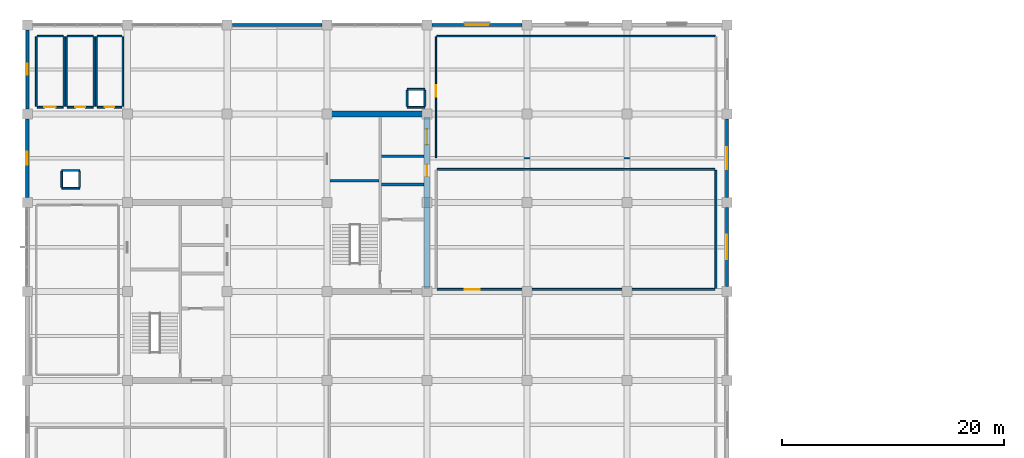
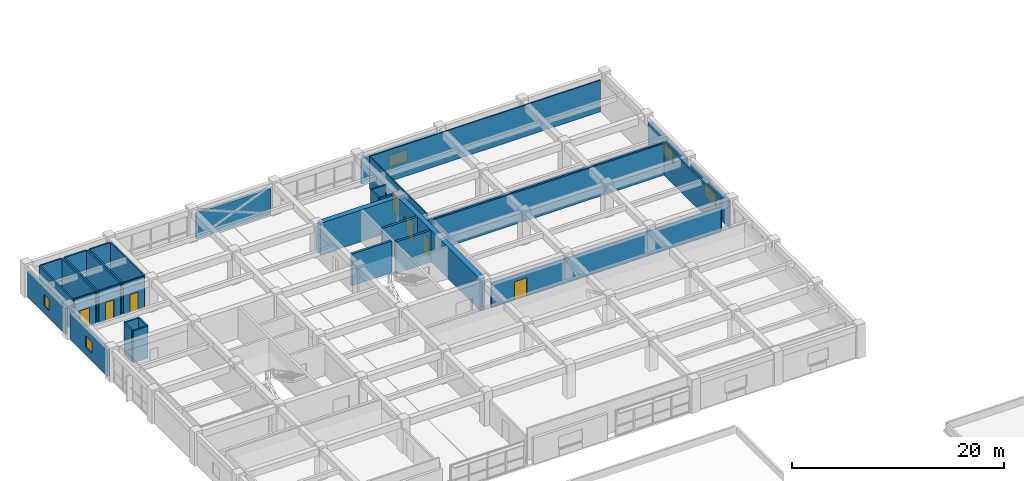
# One storey, part 17 of 23: 37 walls, 7 doors, 5 windows, 12 openings.
"""IFC4 building model written with IfcOpenShell, lengths in metres."""

from ifc_helpers import new_model, si_unit, direction, frame, frame_2d, origin, place, context, subcontext, project, spatial, rectangle, extrude, material, layer, layer_set, type_object, element, fill, save


model = new_model("IFC4")

# Units and contexts
model_context = context("Model", 3, precision=1e-05, world=origin(), true_north=direction((0.0, 1.0)))
body_context = subcontext(model_context, "Body", "Model", "MODEL_VIEW")
ifc_project = project(units=[si_unit("LENGTHUNIT", "METRE"), si_unit("AREAUNIT", "SQUARE_METRE"), si_unit("VOLUMEUNIT", "CUBIC_METRE"), si_unit("PLANEANGLEUNIT", "RADIAN"), si_unit("MASSUNIT", "GRAM", prefix="KILO")], contexts=[model_context])

# Site, building, storey
site_placement = place(None, origin())
site = spatial("IfcSite", under=ifc_project, at=site_placement, CompositionType="ELEMENT")
building_placement = place(site_placement, origin())
building = spatial("IfcBuilding", under=site, at=building_placement, Name="Zaverband Oceanarium and Marine Research Institute", CompositionType="ELEMENT")
storey_placement = place(building_placement, frame((0.0, 0.0, 21.89990234375)))
storey = spatial("IfcBuildingStorey", under=building, at=storey_placement, Name="L05", CompositionType="ELEMENT", Elevation=21.89990234375)

# Wall
ifc_material_1 = material(Name="Concrete C50/60", Category="concrete")
ifc_layer_1 = layer(ifc_material_1, 0.550048828125, Name="Concrete C50/60")
ifc_layer_set_1 = layer_set([ifc_layer_1], Name="Concrete C50/60")
wall_type_1 = type_object("IfcWallType", Name="CW-01", PredefinedType="SHEAR", material=ifc_layer_set_1)
wall_1_placement = place(storey_placement, frame((36.27490234375, 104.0, 0.0), z_axis=(0.0, 0.0, 1.0), x_axis=(1.0, 0.0, 0.0)))
element("IfcWall", 1, at=wall_1_placement, inside=storey, type_object=wall_type_1, Name="Structural shear wall CW-01", PredefinedType="SHEAR", context=body_context, shape_type="SweptSolid", body=[
    extrude(rectangle(XDim=8.4501953125, YDim=0.550048828125, at=frame_2d((4.22509765625, 0.0))), origin(), (0.0, 0.0, 1.0), 3.650146484375),
])

# Wall, openings, doors
wall_2_placement = place(storey_placement, frame((45.0, 88.27490234375, 0.0), z_axis=(0.0, 0.0, 1.0), x_axis=(0.0, 1.0, 0.0)))
wall_2 = element("IfcWall", 2, at=wall_2_placement, inside=storey, type_object=wall_type_1, Name="Structural shear wall CW-01", PredefinedType="SHEAR", context=body_context, shape_type="SweptSolid", body=[
    extrude(rectangle(XDim=15.4501953125, YDim=0.550048828125, at=frame_2d((7.72509765625, 0.0))), origin(), (0.0, 0.0, 1.0), 3.650146484375),
])
opening_1_placement = place(wall_2_placement, frame((10.10009765625, 0.0, 0.0)))
opening_1 = element("IfcOpeningElement", 3, at=opening_1_placement, cuts=wall_2, Name="Opening LD-02", PredefinedType="OPENING", context=body_context, shape_type="SweptSolid", body=[
    extrude(rectangle(XDim=1.050048828125, YDim=2.1201171875, at=frame_2d((0.52490234375, 1.06005859375))), frame((0.0, 0.287109375, 0.0), z_axis=(0.0, -1.0, 0.0), x_axis=(1.0, 0.0, 0.0)), (0.0, 0.0, 1.0), 0.573974609375),
])
opening_2_placement = place(wall_2_placement, frame((12.949951171875, 0.0, 0.0)))
opening_2 = element("IfcOpeningElement", 4, at=opening_2_placement, cuts=wall_2, Name="Opening LD-03", PredefinedType="OPENING", context=body_context, shape_type="SweptSolid", body=[
    extrude(rectangle(XDim=1.39990234375, YDim=2.199951171875, at=frame_2d((0.699951171875, 1.10009765625))), frame((0.0, 0.287109375, 0.0), z_axis=(0.0, -1.0, 0.0), x_axis=(1.0, 0.0, 0.0)), (0.0, 0.0, 1.0), 0.573974609375),
])
ifc_material_2 = material(Name="Steel S355", Category="steel")
door_type_1 = type_object("IfcDoorType", Name="LD-02", OperationType="DOUBLE_DOOR_SLIDING", PredefinedType="DOOR", material=ifc_material_2)
door_1_placement = place(opening_1_placement, origin())
door_1 = element("IfcDoor", 5, at=door_1_placement, inside=storey, type_object=door_type_1, Name="Passenger lift sliding landing door LD-02", OperationType="DOUBLE_DOOR_SLIDING", OverallHeight=2.1201171875, OverallWidth=1.050048828125, PredefinedType="DOOR", context=body_context, shape_type="SweptSolid", body=[
    extrude(rectangle(XDim=1.050048828125, YDim=2.1201171875, at=frame_2d((0.52490234375, 1.06005859375))), frame((0.0, 0.02490234375, 0.0), z_axis=(0.0, -1.0, 0.0), x_axis=(1.0, 0.0, 0.0)), (0.0, 0.0, 1.0), 0.050048828125),
])
fill(opening_1, door_1)
door_type_2 = type_object("IfcDoorType", Name="LD-03", OperationType="DOUBLE_DOOR_SLIDING", PredefinedType="DOOR", material=ifc_material_2)
door_2_placement = place(opening_2_placement, origin())
door_2 = element("IfcDoor", 6, at=door_2_placement, inside=storey, type_object=door_type_2, Name="Specimen goods lift sliding landing door LD-03", OperationType="DOUBLE_DOOR_SLIDING", OverallHeight=2.199951171875, OverallWidth=1.39990234375, PredefinedType="DOOR", context=body_context, shape_type="SweptSolid", body=[
    extrude(rectangle(XDim=1.39990234375, YDim=2.199951171875, at=frame_2d((0.699951171875, 1.10009765625))), frame((0.0, 0.02490234375, 0.0), z_axis=(0.0, -1.0, 0.0), x_axis=(1.0, 0.0, 0.0)), (0.0, 0.0, 1.0), 0.050048828125),
])
fill(opening_2, door_2)

# Wall, opening, window
ifc_material_3 = material(Name="Concrete C40/50 precast", Category="concrete")
ifc_layer_2 = layer(ifc_material_3, 0.264892578125, Name="Concrete C40/50 precast")
ifc_layer_set_2 = layer_set([ifc_layer_2], Name="Concrete C40/50 precast")
wall_type_2 = type_object("IfcWallType", Name="EW-265", PredefinedType="STANDARD", material=ifc_layer_set_2)
wall_3_placement = place(storey_placement, frame((45.455078125, 112.0, 0.0), z_axis=(0.0, 0.0, 1.0), x_axis=(1.0, 0.0, 0.0)))
wall_3 = element("IfcWall", 7, at=wall_3_placement, inside=storey, type_object=wall_type_2, Name="Exterior infill wall EW-265", PredefinedType="STANDARD", context=body_context, shape_type="SweptSolid", body=[
    extrude(rectangle(XDim=8.08984375, YDim=0.264892578125, at=frame_2d((4.044921875, 0.0))), origin(), (0.0, 0.0, 1.0), 2.97998046875),
])
opening_3_placement = place(wall_3_placement, frame((3.044921875, 0.0, 0.85009765625)))
opening_3 = element("IfcOpeningElement", 8, at=opening_3_placement, cuts=wall_3, Name="Opening WN-2000x1350", PredefinedType="OPENING", context=body_context, shape_type="SweptSolid", body=[
    extrude(rectangle(XDim=2.0, YDim=1.35009765625, at=frame_2d((1.0, 0.675048828125))), frame((0.0, 0.14453125, 0.0), z_axis=(0.0, -1.0, 0.0), x_axis=(1.0, 0.0, 0.0)), (0.0, 0.0, 1.0), 0.288818359375),
])
ifc_material_4 = material(Name="Thermally broken anodized aluminium and solar-control glass", Category="aluminium")
window_type_1 = type_object("IfcWindowType", Name="WN-2000x1350", PartitioningType="SINGLE_PANEL", PredefinedType="WINDOW", material=ifc_material_4)
window_1_placement = place(opening_3_placement, origin())
window_1 = element("IfcWindow", 9, at=window_1_placement, inside=storey, type_object=window_type_1, Name="Fixed / casement exterior window WN-2000x1350", OverallHeight=1.35009765625, OverallWidth=2.0, PartitioningType="SINGLE_PANEL", PredefinedType="WINDOW", context=body_context, shape_type="SweptSolid", body=[
    extrude(rectangle(XDim=2.0, YDim=1.35009765625, at=frame_2d((1.0, 0.675048828125))), frame((0.0, 0.030029296875, 0.0), z_axis=(0.0, -1.0, 0.0), x_axis=(1.0, 0.0, 0.0)), (0.0, 0.0, 1.0), 0.06005859375),
])
fill(opening_3, window_1)

wall_4_placement = place(storey_placement, frame((9.0, 104.455078125, 0.0), z_axis=(0.0, 0.0, 1.0), x_axis=(0.0, 1.0, 0.0)))
wall_4 = element("IfcWall", 10, at=wall_4_placement, inside=storey, type_object=wall_type_2, Name="Exterior infill wall EW-265", PredefinedType="STANDARD", context=body_context, shape_type="SweptSolid", body=[
    extrude(rectangle(XDim=7.08984375, YDim=0.264892578125, at=frame_2d((3.544921875, 0.0))), origin(), (0.0, 0.0, 1.0), 2.97998046875),
])
opening_4_placement = place(wall_4_placement, frame((3.044921875, 0.0, 0.85009765625)))
opening_4 = element("IfcOpeningElement", 11, at=opening_4_placement, cuts=wall_4, Name="Opening WN-1000x1350", PredefinedType="OPENING", context=body_context, shape_type="SweptSolid", body=[
    extrude(rectangle(XDim=1.0, YDim=1.35009765625, at=frame_2d((0.5, 0.675048828125))), frame((0.0, 0.14453125, 0.0), z_axis=(0.0, -1.0, 0.0), x_axis=(1.0, 0.0, 0.0)), (0.0, 0.0, 1.0), 0.288818359375),
])
window_type_2 = type_object("IfcWindowType", Name="WN-1000x1350", PartitioningType="SINGLE_PANEL", PredefinedType="WINDOW", material=ifc_material_4)
window_2_placement = place(opening_4_placement, origin())
window_2 = element("IfcWindow", 12, at=window_2_placement, inside=storey, type_object=window_type_2, Name="Fixed / casement exterior window WN-1000x1350", OverallHeight=1.35009765625, OverallWidth=1.0, PartitioningType="SINGLE_PANEL", PredefinedType="WINDOW", context=body_context, shape_type="SweptSolid", body=[
    extrude(rectangle(XDim=1.0, YDim=1.35009765625, at=frame_2d((0.5, 0.675048828125))), frame((0.0, 0.030029296875, 0.0), z_axis=(0.0, -1.0, 0.0), x_axis=(1.0, 0.0, 0.0)), (0.0, 0.0, 1.0), 0.06005859375),
])
fill(opening_4, window_2)

wall_5_placement = place(storey_placement, frame((72.0, 88.455078125, 0.0), z_axis=(0.0, 0.0, 1.0), x_axis=(0.0, 1.0, 0.0)))
wall_5 = element("IfcWall", 13, at=wall_5_placement, inside=storey, type_object=wall_type_2, Name="Exterior infill wall EW-265", PredefinedType="STANDARD", context=body_context, shape_type="SweptSolid", body=[
    extrude(rectangle(XDim=7.08984375, YDim=0.264892578125, at=frame_2d((3.544921875, 0.0))), origin(), (0.0, 0.0, 1.0), 2.97998046875),
])
opening_5_placement = place(wall_5_placement, frame((2.445068359375, 0.0, 0.85009765625)))
opening_5 = element("IfcOpeningElement", 14, at=opening_5_placement, cuts=wall_5, Name="Opening WN-2200x1500", PredefinedType="OPENING", context=body_context, shape_type="SweptSolid", body=[
    extrude(rectangle(XDim=2.199951171875, YDim=1.5, at=frame_2d((1.10009765625, 0.75))), frame((0.0, 0.14453125, 0.0), z_axis=(0.0, -1.0, 0.0), x_axis=(1.0, 0.0, 0.0)), (0.0, 0.0, 1.0), 0.288818359375),
])
window_type_3 = type_object("IfcWindowType", Name="WN-2200x1500", PartitioningType="SINGLE_PANEL", PredefinedType="WINDOW", material=ifc_material_4)
window_3_placement = place(opening_5_placement, origin())
window_3 = element("IfcWindow", 15, at=window_3_placement, inside=storey, type_object=window_type_3, Name="Fixed / casement exterior window WN-2200x1500", OverallHeight=1.5, OverallWidth=2.199951171875, PartitioningType="SINGLE_PANEL", PredefinedType="WINDOW", context=body_context, shape_type="SweptSolid", body=[
    extrude(rectangle(XDim=2.199951171875, YDim=1.5, at=frame_2d((1.10009765625, 0.75))), frame((0.0, 0.030029296875, 0.0), z_axis=(0.0, -1.0, 0.0), x_axis=(1.0, 0.0, 0.0)), (0.0, 0.0, 1.0), 0.06005859375),
])
fill(opening_5, window_3)

# Wall
ifc_layer_3 = layer(ifc_material_3, 0.2900390625, Name="Concrete C40/50 precast")
ifc_layer_set_3 = layer_set([ifc_layer_3], Name="Concrete C40/50 precast")
wall_type_3 = type_object("IfcWallType", Name="EW-290", PredefinedType="STANDARD", material=ifc_layer_set_3)
wall_6_placement = place(storey_placement, frame((27.455078125, 112.0, 0.0), z_axis=(0.0, 0.0, 1.0), x_axis=(1.0, 0.0, 0.0)))
element("IfcWall", 16, at=wall_6_placement, inside=storey, type_object=wall_type_3, Name="Exterior infill wall EW-290", PredefinedType="STANDARD", context=body_context, shape_type="SweptSolid", body=[
    extrude(rectangle(XDim=8.08984375, YDim=0.2900390625, at=frame_2d((4.044921875, 0.0))), origin(), (0.0, 0.0, 1.0), 2.97998046875),
])

# Wall, opening, window
wall_7_placement = place(storey_placement, frame((9.0, 96.455078125, 0.0), z_axis=(0.0, 0.0, 1.0), x_axis=(0.0, 1.0, 0.0)))
wall_7 = element("IfcWall", 17, at=wall_7_placement, inside=storey, type_object=wall_type_3, Name="Exterior infill wall EW-290", PredefinedType="STANDARD", context=body_context, shape_type="SweptSolid", body=[
    extrude(rectangle(XDim=7.08984375, YDim=0.2900390625, at=frame_2d((3.544921875, 0.0))), origin(), (0.0, 0.0, 1.0), 2.97998046875),
])
opening_6_placement = place(wall_7_placement, frame((2.945068359375, 0.0, 0.85009765625)))
opening_6 = element("IfcOpeningElement", 18, at=opening_6_placement, cuts=wall_7, Name="Opening WN-1200x1350", PredefinedType="OPENING", context=body_context, shape_type="SweptSolid", body=[
    extrude(rectangle(XDim=1.199951171875, YDim=1.35009765625, at=frame_2d((0.60009765625, 0.675048828125))), frame((0.0, 0.156982421875, 0.0), z_axis=(0.0, -1.0, 0.0), x_axis=(1.0, 0.0, 0.0)), (0.0, 0.0, 1.0), 0.31396484375),
])
window_type_4 = type_object("IfcWindowType", Name="WN-1200x1350", PartitioningType="SINGLE_PANEL", PredefinedType="WINDOW", material=ifc_material_4)
window_4_placement = place(opening_6_placement, origin())
window_4 = element("IfcWindow", 19, at=window_4_placement, inside=storey, type_object=window_type_4, Name="Fixed / casement exterior window WN-1200x1350", OverallHeight=1.35009765625, OverallWidth=1.199951171875, PartitioningType="SINGLE_PANEL", PredefinedType="WINDOW", context=body_context, shape_type="SweptSolid", body=[
    extrude(rectangle(XDim=1.199951171875, YDim=1.35009765625, at=frame_2d((0.60009765625, 0.675048828125))), frame((0.0, 0.030029296875, 0.0), z_axis=(0.0, -1.0, 0.0), x_axis=(1.0, 0.0, 0.0)), (0.0, 0.0, 1.0), 0.06005859375),
])
fill(opening_6, window_4)

wall_8_placement = place(storey_placement, frame((72.0, 96.455078125, 0.0), z_axis=(0.0, 0.0, 1.0), x_axis=(0.0, 1.0, 0.0)))
wall_8 = element("IfcWall", 20, at=wall_8_placement, inside=storey, type_object=wall_type_3, Name="Exterior infill wall EW-290", PredefinedType="STANDARD", context=body_context, shape_type="SweptSolid", body=[
    extrude(rectangle(XDim=7.08984375, YDim=0.2900390625, at=frame_2d((3.544921875, 0.0))), origin(), (0.0, 0.0, 1.0), 2.97998046875),
])
opening_7_placement = place(wall_8_placement, frame((2.544921875, 0.0, 0.85009765625)))
opening_7 = element("IfcOpeningElement", 21, at=opening_7_placement, cuts=wall_8, Name="Opening WN-2000x1500", PredefinedType="OPENING", context=body_context, shape_type="SweptSolid", body=[
    extrude(rectangle(XDim=2.0, YDim=1.5, at=frame_2d((1.0, 0.75))), frame((0.0, 0.156982421875, 0.0), z_axis=(0.0, -1.0, 0.0), x_axis=(1.0, 0.0, 0.0)), (0.0, 0.0, 1.0), 0.31396484375),
])
window_type_5 = type_object("IfcWindowType", Name="WN-2000x1500", PartitioningType="SINGLE_PANEL", PredefinedType="WINDOW", material=ifc_material_4)
window_5_placement = place(opening_7_placement, origin())
window_5 = element("IfcWindow", 22, at=window_5_placement, inside=storey, type_object=window_type_5, Name="Fixed / casement exterior window WN-2000x1500", OverallHeight=1.5, OverallWidth=2.0, PartitioningType="SINGLE_PANEL", PredefinedType="WINDOW", context=body_context, shape_type="SweptSolid", body=[
    extrude(rectangle(XDim=2.0, YDim=1.5, at=frame_2d((1.0, 0.75))), frame((0.0, 0.030029296875, 0.0), z_axis=(0.0, -1.0, 0.0), x_axis=(1.0, 0.0, 0.0)), (0.0, 0.0, 1.0), 0.06005859375),
])
fill(opening_7, window_5)

# Walls
ifc_material_5 = material(Name="Insulated metal-stud office partition")
ifc_layer_4 = layer(ifc_material_5, 0.1201171875, Name="Insulated metal-stud office partition")
ifc_layer_set_4 = layer_set([ifc_layer_4], Name="Insulated metal-stud office partition")
wall_type_4 = type_object("IfcWallType", Name="PT-120-OF", PredefinedType="PARTITIONING", material=ifc_layer_set_4)
wall_9_placement = place(storey_placement, frame((45.860107421875, 100.0, 0.0), z_axis=(0.0, 0.0, 1.0), x_axis=(1.0, 0.0, 0.0)))
element("IfcWall", 23, at=wall_9_placement, inside=storey, type_object=wall_type_4, Name="Internal partition PT-120-OF", PredefinedType="PARTITIONING", context=body_context, shape_type="SweptSolid", body=[
    extrude(rectangle(XDim=25.079833984375, YDim=0.1201171875, at=frame_2d((12.5400390625, 0.0))), origin(), (0.0, 0.0, 1.0), 3.10009765625),
])
wall_10_placement = place(storey_placement, frame((45.860107421875, 111.0, 0.0), z_axis=(0.0, 0.0, 1.0), x_axis=(1.0, 0.0, 0.0)))
element("IfcWall", 24, at=wall_10_placement, inside=storey, type_object=wall_type_4, Name="Internal partition PT-120-OF", PredefinedType="PARTITIONING", context=body_context, shape_type="SweptSolid", body=[
    extrude(rectangle(XDim=25.079833984375, YDim=0.1201171875, at=frame_2d((12.5400390625, 0.0))), origin(), (0.0, 0.0, 1.0), 3.650146484375),
])

# Wall, opening, door
wall_11_placement = place(storey_placement, frame((45.800048828125, 100.06005859375, 0.0), z_axis=(0.0, 0.0, 1.0), x_axis=(0.0, 1.0, 0.0)))
wall_11 = element("IfcWall", 25, at=wall_11_placement, inside=storey, type_object=wall_type_4, Name="Internal partition PT-120-OF", PredefinedType="PARTITIONING", context=body_context, shape_type="SweptSolid", body=[
    extrude(rectangle(XDim=10.8798828125, YDim=0.1201171875, at=frame_2d((5.43994140625, 0.0))), origin(), (0.0, 0.0, 1.0), 3.650146484375),
])
opening_8_placement = place(wall_11_placement, frame((5.5, 0.0, 0.0)))
opening_8 = element("IfcOpeningElement", 26, at=opening_8_placement, cuts=wall_11, Name="Opening ID-1020x2100", PredefinedType="OPENING", context=body_context, shape_type="SweptSolid", body=[
    extrude(rectangle(XDim=1.02001953125, YDim=2.10009765625, at=frame_2d((0.510009765625, 1.050048828125))), frame((0.0, 0.072021484375, 0.0), z_axis=(0.0, -1.0, 0.0), x_axis=(1.0, 0.0, 0.0)), (0.0, 0.0, 1.0), 0.14404296875),
])
ifc_material_6 = material(Name="Hardwood-veneered acoustic timber", Category="wood")
door_type_3 = type_object("IfcDoorType", Name="ID-1020x2100", OperationType="NOTDEFINED", PredefinedType="DOOR", material=ifc_material_6)
door_3_placement = place(opening_8_placement, origin())
door_3 = element("IfcDoor", 27, at=door_3_placement, inside=storey, type_object=door_type_3, Name="Accessible WC outward-swing door ID-1020x2100", OperationType="SINGLE_SWING_RIGHT", OverallHeight=2.10009765625, OverallWidth=1.02001953125, PredefinedType="DOOR", context=body_context, shape_type="SweptSolid", body=[
    extrude(rectangle(XDim=1.02001953125, YDim=2.10009765625, at=frame_2d((0.510009765625, 1.050048828125))), frame((0.0, 0.02490234375, 0.0), z_axis=(0.0, -1.0, 0.0), x_axis=(1.0, 0.0, 0.0)), (0.0, 0.0, 1.0), 0.050048828125),
])
fill(opening_8, door_3)

ifc_material_7 = material(Name="Ceramic-tiled wet-room blockwork", Category="masonry")
ifc_layer_5 = layer(ifc_material_7, 0.14990234375, Name="Ceramic-tiled wet-room blockwork")
ifc_layer_set_5 = layer_set([ifc_layer_5], Name="Ceramic-tiled wet-room blockwork")
wall_type_5 = type_object("IfcWallType", Name="PT-150-WC", PredefinedType="PARTITIONING", material=ifc_layer_set_5)
wall_12_placement = place(storey_placement, frame((9.875, 104.60009765625, 0.0), z_axis=(0.0, 0.0, 1.0), x_axis=(1.0, 0.0, 0.0)))
wall_12 = element("IfcWall", 28, at=wall_12_placement, inside=storey, type_object=wall_type_5, Name="Internal partition PT-150-WC", PredefinedType="PARTITIONING", context=body_context, shape_type="SweptSolid", body=[
    extrude(rectangle(XDim=2.35009765625, YDim=0.14990234375, at=frame_2d((1.175048828125, 0.0))), origin(), (0.0, 0.0, 1.0), 3.650146484375),
])
opening_9_placement = place(wall_12_placement, frame((0.6650390625, 0.0, 0.0)))
opening_9 = element("IfcOpeningElement", 29, at=opening_9_placement, cuts=wall_12, Name="Opening ID-1020x2100", PredefinedType="OPENING", context=body_context, shape_type="SweptSolid", body=[
    extrude(rectangle(XDim=1.02001953125, YDim=2.10009765625, at=frame_2d((0.510009765625, 1.050048828125))), frame((0.0, 0.0869140625, 0.0), z_axis=(0.0, -1.0, 0.0), x_axis=(1.0, 0.0, 0.0)), (0.0, 0.0, 1.0), 0.173828125),
])
door_4_placement = place(opening_9_placement, frame((1.02001953125, 0.0, 0.0), z_axis=(0.0, 0.0, 1.0), x_axis=(-1.0, 0.0, 0.0)))
door_4 = element("IfcDoor", 30, at=door_4_placement, inside=storey, type_object=door_type_3, Name="Accessible WC outward-swing door ID-1020x2100", OperationType="SINGLE_SWING_LEFT", OverallHeight=2.10009765625, OverallWidth=1.02001953125, PredefinedType="DOOR", context=body_context, shape_type="SweptSolid", body=[
    extrude(rectangle(XDim=1.02001953125, YDim=2.10009765625, at=frame_2d((0.510009765625, 1.050048828125))), frame((0.0, 0.02490234375, 0.0), z_axis=(0.0, -1.0, 0.0), x_axis=(1.0, 0.0, 0.0)), (0.0, 0.0, 1.0), 0.050048828125),
])
fill(opening_9, door_4)

# Walls
wall_13_placement = place(storey_placement, frame((9.875, 111.0, 0.0), z_axis=(0.0, 0.0, 1.0), x_axis=(1.0, 0.0, 0.0)))
element("IfcWall", 31, at=wall_13_placement, inside=storey, type_object=wall_type_5, Name="Internal partition PT-150-WC", PredefinedType="PARTITIONING", context=body_context, shape_type="SweptSolid", body=[
    extrude(rectangle(XDim=2.35009765625, YDim=0.14990234375, at=frame_2d((1.175048828125, 0.0))), origin(), (0.0, 0.0, 1.0), 3.650146484375),
])
for number, where, z_axis, x_axis, name in (
    (32, (9.800048828125, 104.675048828125, 0.0), (0.0, 0.0, 1.0), (0.0, 1.0, 0.0), "Internal partition PT-150-WC"),
    (33, (12.300048828125, 104.675048828125, 0.0), (0.0, 0.0, 1.0), (0.0, 1.0, 0.0), "Internal partition PT-150-WC"),
):
    element("IfcWall", number, at=place(storey_placement, frame(where, z_axis=z_axis, x_axis=x_axis)), inside=storey, type_object=wall_type_5, Name=name, PredefinedType="PARTITIONING", context=body_context, shape_type="SweptSolid", body=[
        extrude(rectangle(XDim=6.25, YDim=0.14990234375, at=frame_2d((3.125, 0.0))), origin(), (0.0, 0.0, 1.0), 3.650146484375),
    ])

# Wall, opening, door
wall_14_placement = place(storey_placement, frame((12.574951171875, 104.60009765625, 0.0), z_axis=(0.0, 0.0, 1.0), x_axis=(1.0, 0.0, 0.0)))
wall_14 = element("IfcWall", 34, at=wall_14_placement, inside=storey, type_object=wall_type_5, Name="Internal partition PT-150-WC", PredefinedType="PARTITIONING", context=body_context, shape_type="SweptSolid", body=[
    extrude(rectangle(XDim=2.35009765625, YDim=0.14990234375, at=frame_2d((1.175048828125, 0.0))), origin(), (0.0, 0.0, 1.0), 3.650146484375),
])
opening_10_placement = place(wall_14_placement, frame((0.719970703125, 0.0, 0.0)))
opening_10 = element("IfcOpeningElement", 35, at=opening_10_placement, cuts=wall_14, Name="Opening ID-910x2080", PredefinedType="OPENING", context=body_context, shape_type="SweptSolid", body=[
    extrude(rectangle(XDim=0.909912109375, YDim=2.080078125, at=frame_2d((0.455078125, 1.0400390625))), frame((0.0, 0.0869140625, 0.0), z_axis=(0.0, -1.0, 0.0), x_axis=(1.0, 0.0, 0.0)), (0.0, 0.0, 1.0), 0.173828125),
])
door_type_4 = type_object("IfcDoorType", Name="ID-910x2080", OperationType="NOTDEFINED", PredefinedType="DOOR", material=ifc_material_6)
door_5_placement = place(opening_10_placement, origin())
door_5 = element("IfcDoor", 36, at=door_5_placement, inside=storey, type_object=door_type_4, Name="Sanitary washroom entrance door ID-910x2080", OperationType="SINGLE_SWING_RIGHT", OverallHeight=2.080078125, OverallWidth=0.909912109375, PredefinedType="DOOR", context=body_context, shape_type="SweptSolid", body=[
    extrude(rectangle(XDim=0.909912109375, YDim=2.080078125, at=frame_2d((0.455078125, 1.0400390625))), frame((0.0, 0.02490234375, 0.0), z_axis=(0.0, -1.0, 0.0), x_axis=(1.0, 0.0, 0.0)), (0.0, 0.0, 1.0), 0.050048828125),
])
fill(opening_10, door_5)

# Walls
wall_15_placement = place(storey_placement, frame((12.574951171875, 111.0, 0.0), z_axis=(0.0, 0.0, 1.0), x_axis=(1.0, 0.0, 0.0)))
element("IfcWall", 37, at=wall_15_placement, inside=storey, type_object=wall_type_5, Name="Internal partition PT-150-WC", PredefinedType="PARTITIONING", context=body_context, shape_type="SweptSolid", body=[
    extrude(rectangle(XDim=2.35009765625, YDim=0.14990234375, at=frame_2d((1.175048828125, 0.0))), origin(), (0.0, 0.0, 1.0), 3.650146484375),
])
for number, where, z_axis, x_axis, name in (
    (38, (12.5, 104.675048828125, 0.0), (0.0, 0.0, 1.0), (0.0, 1.0, 0.0), "Internal partition PT-150-WC"),
    (39, (15.0, 104.675048828125, 0.0), (0.0, 0.0, 1.0), (0.0, 1.0, 0.0), "Internal partition PT-150-WC"),
):
    element("IfcWall", number, at=place(storey_placement, frame(where, z_axis=z_axis, x_axis=x_axis)), inside=storey, type_object=wall_type_5, Name=name, PredefinedType="PARTITIONING", context=body_context, shape_type="SweptSolid", body=[
        extrude(rectangle(XDim=6.25, YDim=0.14990234375, at=frame_2d((3.125, 0.0))), origin(), (0.0, 0.0, 1.0), 3.650146484375),
    ])

# Wall, opening, door
wall_16_placement = place(storey_placement, frame((15.27490234375, 104.60009765625, 0.0), z_axis=(0.0, 0.0, 1.0), x_axis=(1.0, 0.0, 0.0)))
wall_16 = element("IfcWall", 40, at=wall_16_placement, inside=storey, type_object=wall_type_5, Name="Internal partition PT-150-WC", PredefinedType="PARTITIONING", context=body_context, shape_type="SweptSolid", body=[
    extrude(rectangle(XDim=2.25, YDim=0.14990234375, at=frame_2d((1.125, 0.0))), origin(), (0.0, 0.0, 1.0), 3.650146484375),
])
opening_11_placement = place(wall_16_placement, frame((0.679931640625, 0.0, 0.0)))
opening_11 = element("IfcOpeningElement", 41, at=opening_11_placement, cuts=wall_16, Name="Opening ID-890x2060", PredefinedType="OPENING", context=body_context, shape_type="SweptSolid", body=[
    extrude(rectangle(XDim=0.889892578125, YDim=2.06005859375, at=frame_2d((0.44482421875, 1.030029296875))), frame((0.0, 0.0869140625, 0.0), z_axis=(0.0, -1.0, 0.0), x_axis=(1.0, 0.0, 0.0)), (0.0, 0.0, 1.0), 0.173828125),
])
door_type_5 = type_object("IfcDoorType", Name="ID-890x2060", OperationType="NOTDEFINED", PredefinedType="DOOR", material=ifc_material_6)
door_6_placement = place(opening_11_placement, origin())
door_6 = element("IfcDoor", 42, at=door_6_placement, inside=storey, type_object=door_type_5, Name="Staff WC door ID-890x2060", OperationType="SINGLE_SWING_LEFT", OverallHeight=2.06005859375, OverallWidth=0.889892578125, PredefinedType="DOOR", context=body_context, shape_type="SweptSolid", body=[
    extrude(rectangle(XDim=0.889892578125, YDim=2.06005859375, at=frame_2d((0.44482421875, 1.030029296875))), frame((0.0, 0.02490234375, 0.0), z_axis=(0.0, -1.0, 0.0), x_axis=(1.0, 0.0, 0.0)), (0.0, 0.0, 1.0), 0.050048828125),
])
fill(opening_11, door_6)

# Walls
wall_17_placement = place(storey_placement, frame((15.27490234375, 111.0, 0.0), z_axis=(0.0, 0.0, 1.0), x_axis=(1.0, 0.0, 0.0)))
element("IfcWall", 43, at=wall_17_placement, inside=storey, type_object=wall_type_5, Name="Internal partition PT-150-WC", PredefinedType="PARTITIONING", context=body_context, shape_type="SweptSolid", body=[
    extrude(rectangle(XDim=2.25, YDim=0.14990234375, at=frame_2d((1.125, 0.0))), origin(), (0.0, 0.0, 1.0), 3.650146484375),
])
for number, where, z_axis, x_axis, name in (
    (44, (15.199951171875, 104.675048828125, 0.0), (0.0, 0.0, 1.0), (0.0, 1.0, 0.0), "Internal partition PT-150-WC"),
    (45, (17.60009765625, 104.675048828125, 0.0), (0.0, 0.0, 1.0), (0.0, 1.0, 0.0), "Internal partition PT-150-WC"),
):
    element("IfcWall", number, at=place(storey_placement, frame(where, z_axis=z_axis, x_axis=x_axis)), inside=storey, type_object=wall_type_5, Name=name, PredefinedType="PARTITIONING", context=body_context, shape_type="SweptSolid", body=[
        extrude(rectangle(XDim=6.25, YDim=0.14990234375, at=frame_2d((3.125, 0.0))), origin(), (0.0, 0.0, 1.0), 3.650146484375),
    ])
ifc_material_8 = material(Name="Corridor rated drywall partition")
ifc_layer_6 = layer(ifc_material_8, 0.1650390625, Name="Corridor rated drywall partition")
ifc_layer_set_6 = layer_set([ifc_layer_6], Name="Corridor rated drywall partition")
wall_type_6 = type_object("IfcWallType", Name="PT-165-CR", PredefinedType="PARTITIONING", material=ifc_layer_set_6)
for number, where, z_axis, x_axis, name in (
    (46, (12.10009765625, 97.300048828125, 0.0), (0.0, 0.0, 1.0), (1.0, 0.0, 0.0), "Internal partition PT-165-CR"),
    (47, (12.10009765625, 98.89990234375, 0.0), (0.0, 0.0, 1.0), (1.0, 0.0, 0.0), "Internal partition PT-165-CR"),
):
    element("IfcWall", number, at=place(storey_placement, frame(where, z_axis=z_axis, x_axis=x_axis)), inside=storey, type_object=wall_type_6, Name=name, PredefinedType="PARTITIONING", context=body_context, shape_type="SweptSolid", body=[
        extrude(rectangle(XDim=1.599853515625, YDim=0.1650390625, at=frame_2d((0.7998046875, 0.0))), origin(), (0.0, 0.0, 1.0), 3.650146484375),
    ])
for number, where, z_axis, x_axis, name in (
    (48, (12.10009765625, 97.3798828125, 0.0), (0.0, 0.0, 1.0), (0.0, 1.0, 0.0), "Internal partition PT-165-CR"),
    (49, (13.699951171875, 97.3798828125, 0.0), (0.0, 0.0, 1.0), (0.0, 1.0, 0.0), "Internal partition PT-165-CR"),
):
    element("IfcWall", number, at=place(storey_placement, frame(where, z_axis=z_axis, x_axis=x_axis)), inside=storey, type_object=wall_type_6, Name=name, PredefinedType="PARTITIONING", context=body_context, shape_type="SweptSolid", body=[
        extrude(rectangle(XDim=1.440185546875, YDim=0.1650390625, at=frame_2d((0.72021484375, 0.0))), origin(), (0.0, 0.0, 1.0), 3.650146484375),
    ])
for number, where, z_axis, x_axis, name in (
    (50, (43.199951171875, 104.60009765625, 0.0), (0.0, 0.0, 1.0), (1.0, 0.0, 0.0), "Internal partition PT-165-CR"),
    (51, (43.199951171875, 106.199951171875, 0.0), (0.0, 0.0, 1.0), (1.0, 0.0, 0.0), "Internal partition PT-165-CR"),
):
    element("IfcWall", number, at=place(storey_placement, frame(where, z_axis=z_axis, x_axis=x_axis)), inside=storey, type_object=wall_type_6, Name=name, PredefinedType="PARTITIONING", context=body_context, shape_type="SweptSolid", body=[
        extrude(rectangle(XDim=1.60009765625, YDim=0.1650390625, at=frame_2d((0.800048828125, 0.0))), origin(), (0.0, 0.0, 1.0), 3.650146484375),
    ])
wall_18_placement = place(storey_placement, frame((43.199951171875, 104.679931640625, 0.0), z_axis=(0.0, 0.0, 1.0), x_axis=(0.0, 1.0, 0.0)))
element("IfcWall", 52, at=wall_18_placement, inside=storey, type_object=wall_type_6, Name="Internal partition PT-165-CR", PredefinedType="PARTITIONING", context=body_context, shape_type="SweptSolid", body=[
    extrude(rectangle(XDim=1.440185546875, YDim=0.1650390625, at=frame_2d((0.72021484375, 0.0))), origin(), (0.0, 0.0, 1.0), 3.650146484375),
])
wall_19_placement = place(storey_placement, frame((44.800048828125, 104.679931640625, 0.0), z_axis=(0.0, 0.0, 1.0), x_axis=(0.0, 1.0, 0.0)))
element("IfcWall", 53, at=wall_19_placement, inside=storey, type_object=wall_type_6, Name="Internal partition PT-165-CR", PredefinedType="PARTITIONING", context=body_context, shape_type="SweptSolid", body=[
    extrude(rectangle(XDim=1.440185546875, YDim=0.1650390625, at=frame_2d((0.72021484375, 0.0))), origin(), (0.0, 0.0, 1.0), 2.85009765625),
])

# Wall, opening, door
ifc_material_9 = material(Name="Moisture-resistant laboratory blockwork", Category="masonry")
ifc_layer_7 = layer(ifc_material_9, 0.179931640625, Name="Moisture-resistant laboratory blockwork")
ifc_layer_set_7 = layer_set([ifc_layer_7], Name="Moisture-resistant laboratory blockwork")
wall_type_7 = type_object("IfcWallType", Name="PT-180-LB", PredefinedType="PARTITIONING", material=ifc_layer_set_7)
wall_20_placement = place(storey_placement, frame((45.889892578125, 88.199951171875, 0.0), z_axis=(0.0, 0.0, 1.0), x_axis=(1.0, 0.0, 0.0)))
wall_20 = element("IfcWall", 54, at=wall_20_placement, inside=storey, type_object=wall_type_7, Name="Internal partition PT-180-LB", PredefinedType="PARTITIONING", context=body_context, shape_type="SweptSolid", body=[
    extrude(rectangle(XDim=25.02001953125, YDim=0.179931640625, at=frame_2d((12.510009765625, 0.0))), origin(), (0.0, 0.0, 1.0), 2.85009765625),
])
opening_12_placement = place(wall_20_placement, frame((2.5, 0.0, 0.0)))
opening_12 = element("IfcOpeningElement", 55, at=opening_12_placement, cuts=wall_20, Name="Opening ID-1350x2140", PredefinedType="OPENING", context=body_context, shape_type="SweptSolid", body=[
    extrude(rectangle(XDim=1.35009765625, YDim=2.139892578125, at=frame_2d((0.675048828125, 1.06982421875))), frame((0.0, 0.10205078125, 0.0), z_axis=(0.0, -1.0, 0.0), x_axis=(1.0, 0.0, 0.0)), (0.0, 0.0, 1.0), 0.203857421875),
])
door_type_6 = type_object("IfcDoorType", Name="ID-1350x2140", OperationType="NOTDEFINED", PredefinedType="DOOR", material=ifc_material_6)
door_7_placement = place(opening_12_placement, origin())
door_7 = element("IfcDoor", 56, at=door_7_placement, inside=storey, type_object=door_type_6, Name="Oceanography laboratory equipment door ID-1350x2140", OperationType="SINGLE_SWING_LEFT", OverallHeight=2.139892578125, OverallWidth=1.35009765625, PredefinedType="DOOR", context=body_context, shape_type="SweptSolid", body=[
    extrude(rectangle(XDim=1.35009765625, YDim=2.139892578125, at=frame_2d((0.675048828125, 1.06982421875))), frame((0.0, 0.02490234375, 0.0), z_axis=(0.0, -1.0, 0.0), x_axis=(1.0, 0.0, 0.0)), (0.0, 0.0, 1.0), 0.050048828125),
])
fill(opening_12, door_7)

# Walls
wall_21_placement = place(storey_placement, frame((45.889892578125, 99.0, 0.0), z_axis=(0.0, 0.0, 1.0), x_axis=(1.0, 0.0, 0.0)))
element("IfcWall", 57, at=wall_21_placement, inside=storey, type_object=wall_type_7, Name="Internal partition PT-180-LB", PredefinedType="PARTITIONING", context=body_context, shape_type="SweptSolid", body=[
    extrude(rectangle(XDim=25.02001953125, YDim=0.179931640625, at=frame_2d((12.510009765625, 0.0))), origin(), (0.0, 0.0, 1.0), 3.650146484375),
])
wall_22_placement = place(storey_placement, frame((71.0, 88.2900390625, 0.0), z_axis=(0.0, 0.0, 1.0), x_axis=(0.0, 1.0, 0.0)))
element("IfcWall", 58, at=wall_22_placement, inside=storey, type_object=wall_type_7, Name="Internal partition PT-180-LB", PredefinedType="PARTITIONING", context=body_context, shape_type="SweptSolid", body=[
    extrude(rectangle(XDim=10.619873046875, YDim=0.179931640625, at=frame_2d((5.31005859375, 0.0))), origin(), (0.0, 0.0, 1.0), 3.650146484375),
])
ifc_layer_8 = layer(ifc_material_1, 0.25, Name="Concrete C50/60")
ifc_layer_set_8 = layer_set([ifc_layer_8], Name="Concrete C50/60")
wall_type_8 = type_object("IfcWallType", Name="PW-CORE-250", PredefinedType="SOLIDWALL", material=ifc_layer_set_8)
wall_23_placement = place(storey_placement, frame((36.27490234375, 97.97509765625, 0.0), z_axis=(0.0, 0.0, 1.0), x_axis=(1.0, 0.0, 0.0)))
element("IfcWall", 59, at=wall_23_placement, inside=storey, type_object=wall_type_8, Name="Structural concrete wall PW-CORE-250", PredefinedType="SOLIDWALL", context=body_context, shape_type="SweptSolid", body=[
    extrude(rectangle(XDim=4.3701171875, YDim=0.25, at=frame_2d((2.18505859375, 0.0))), origin(), (0.0, 0.0, 1.0), 3.650146484375),
])
for number, where, z_axis, x_axis, name in (
    (60, (40.905029296875, 97.6298828125, 0.0), (0.0, 0.0, 1.0), (1.0, 0.0, 0.0), "Structural concrete wall PW-CORE-250"),
    (61, (40.905029296875, 100.179931640625, 0.0), (0.0, 0.0, 1.0), (1.0, 0.0, 0.0), "Structural concrete wall PW-CORE-250"),
):
    element("IfcWall", number, at=place(storey_placement, frame(where, z_axis=z_axis, x_axis=x_axis)), inside=storey, type_object=wall_type_8, Name=name, PredefinedType="SOLIDWALL", context=body_context, shape_type="SweptSolid", body=[
        extrude(rectangle(XDim=3.820068359375, YDim=0.25, at=frame_2d((1.91015625, 0.0))), origin(), (0.0, 0.0, 1.0), 3.650146484375),
    ])

save(model, "model.ifc")
